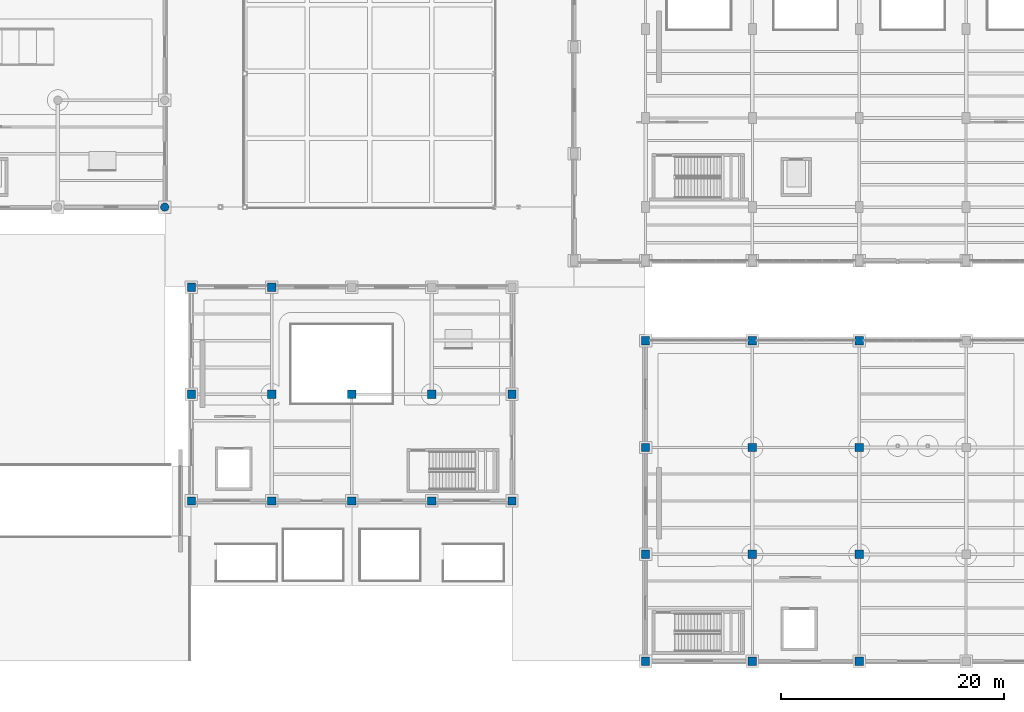
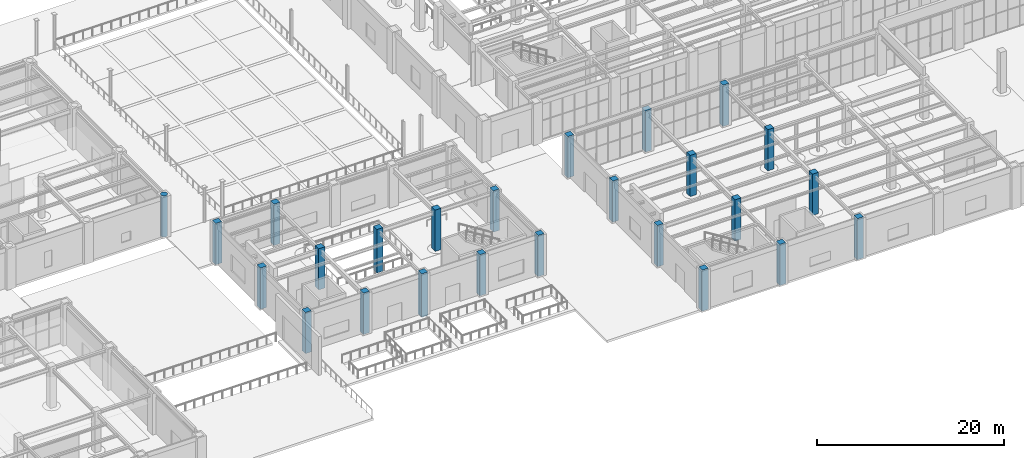
# One storey, part 7 of 164: 25 columns.
"""IFC4 building model written with IfcOpenShell, lengths in metres."""

from ifc_helpers import new_model, si_unit, direction, frame, origin, origin_2d, place, context, subcontext, project, spatial, rectangle, circle, extrude, material, material_profile, profile_set, type_object, element, save


model = new_model("IFC4")

# Units and contexts
model_context = context("Model", 3, precision=1e-05, world=origin(), true_north=direction((0.0, 1.0)))
body_context = subcontext(model_context, "Body", "Model", "MODEL_VIEW")
ifc_project = project(units=[si_unit("LENGTHUNIT", "METRE"), si_unit("AREAUNIT", "SQUARE_METRE"), si_unit("VOLUMEUNIT", "CUBIC_METRE"), si_unit("PLANEANGLEUNIT", "RADIAN"), si_unit("MASSUNIT", "GRAM", prefix="KILO")], contexts=[model_context])

# Site, building, storey
site_placement = place(None, origin())
site = spatial("IfcSite", under=ifc_project, at=site_placement, CompositionType="ELEMENT")
building_placement = place(site_placement, origin())
building = spatial("IfcBuilding", under=site, at=building_placement, Name="Mavantir Sound Aquarium", CompositionType="ELEMENT")
storey_placement = place(building_placement, origin())
storey = spatial("IfcBuildingStorey", under=building, at=storey_placement, Name="L00", CompositionType="ELEMENT", Elevation=0.0)

# Columns
ifc_material = material(Name="Concrete C40/50", Category="concrete")
ifc_material_profile_1 = material_profile(ifc_material, rectangle(XDim=0.75, YDim=0.75, at=origin_2d()), Name="RC 750X750")
ifc_profile_set_1 = profile_set([ifc_material_profile_1], Name="Concrete C40/50")
column_type_1 = type_object("IfcColumnType", Name="COL-RC750-E", PredefinedType="COLUMN", material=ifc_profile_set_1)
for number, where, z_axis, x_axis, name in (
    (1, (108.0, 0.0, 0.0), (0.0, 0.0, 1.0), (1.0, 0.0, 0.0), "L00 column RC-C75 (V6)"),
    (2, (117.60009765625, 0.0, 0.0), (0.0, 0.0, 1.0), (1.0, 0.0, 0.0), "L00 column RC-C75 (V6)"),
    (3, (127.199951171875, 0.0, 0.0), (0.0, 0.0, 1.0), (1.0, 0.0, 0.0), "L00 column RC-C75 (V6)"),
):
    element("IfcColumn", number, at=place(storey_placement, frame(where, z_axis=z_axis, x_axis=x_axis)), inside=storey, type_object=column_type_1, Name=name, PredefinedType="COLUMN", context=body_context, shape_type="SweptSolid", body=[
        extrude(rectangle(XDim=0.75, YDim=0.75, at=origin_2d()), origin(), (0.0, 0.0, 1.0), 5.39990234375),
    ])
ifc_material_profile_2 = material_profile(ifc_material, rectangle(XDim=0.75, YDim=0.75, at=origin_2d()), Name="RC 750X750")
ifc_profile_set_2 = profile_set([ifc_material_profile_2], Name="Concrete C40/50")
column_type_2 = type_object("IfcColumnType", Name="COL-RC750-I", PredefinedType="COLUMN", material=ifc_profile_set_2)
for number, where, z_axis, x_axis, name in (
    (4, (108.0, 9.60009765625, 0.0), (0.0, 0.0, 1.0), (1.0, 0.0, 0.0), "L00 column RC-C75 (V6)"),
    (5, (108.0, 19.199951171875, 0.0), (0.0, 0.0, 1.0), (1.0, 0.0, 0.0), "L00 column RC-C75 (V6)"),
    (6, (108.0, 28.800048828125, 0.0), (0.0, 0.0, 1.0), (1.0, 0.0, 0.0), "L00 column RC-C75 (V6)"),
    (7, (117.60009765625, 9.60009765625, 0.0), (0.0, 0.0, 1.0), (1.0, 0.0, 0.0), "L00 column RC-C75 (V6)"),
    (8, (117.60009765625, 19.199951171875, 0.0), (0.0, 0.0, 1.0), (1.0, 0.0, 0.0), "L00 column RC-C75 (V6)"),
    (9, (117.60009765625, 28.800048828125, 0.0), (0.0, 0.0, 1.0), (1.0, 0.0, 0.0), "L00 column RC-C75 (V6)"),
    (10, (127.199951171875, 9.60009765625, 0.0), (0.0, 0.0, 1.0), (1.0, 0.0, 0.0), "L00 column RC-C75 (V6)"),
    (11, (127.199951171875, 19.199951171875, 0.0), (0.0, 0.0, 1.0), (1.0, 0.0, 0.0), "L00 column RC-C75 (V6)"),
    (12, (127.199951171875, 28.800048828125, 0.0), (0.0, 0.0, 1.0), (1.0, 0.0, 0.0), "L00 column RC-C75 (V6)"),
    (13, (67.199951171875, 14.39990234375, 0.0), (0.0, 0.0, 1.0), (1.0, 0.0, 0.0), "L00 column RC-C75 (V7)"),
    (14, (67.199951171875, 24.0, 0.0), (0.0, 0.0, 1.0), (1.0, 0.0, 0.0), "L00 column RC-C75 (V7)"),
    (15, (67.199951171875, 33.60009765625, 0.0), (0.0, 0.0, 1.0), (1.0, 0.0, 0.0), "L00 column RC-C75 (V7)"),
    (16, (74.39990234375, 14.39990234375, 0.0), (0.0, 0.0, 1.0), (1.0, 0.0, 0.0), "L00 column RC-C75 (V7)"),
    (17, (74.39990234375, 24.0, 0.0), (0.0, 0.0, 1.0), (1.0, 0.0, 0.0), "L00 column RC-C75 (V7)"),
    (18, (74.39990234375, 33.60009765625, 0.0), (0.0, 0.0, 1.0), (1.0, 0.0, 0.0), "L00 column RC-C75 (V7)"),
):
    element("IfcColumn", number, at=place(storey_placement, frame(where, z_axis=z_axis, x_axis=x_axis)), inside=storey, type_object=column_type_2, Name=name, PredefinedType="COLUMN", context=body_context, shape_type="SweptSolid", body=[
        extrude(rectangle(XDim=0.75, YDim=0.75, at=origin_2d()), origin(), (0.0, 0.0, 1.0), 5.39990234375),
    ])
for number, where, z_axis, x_axis, name in (
    (19, (81.60009765625, 14.39990234375, -0.300048828125), (0.0, 0.0, 1.0), (1.0, 0.0, 0.0), "L00 column RC-C75 (V7)"),
    (20, (81.60009765625, 24.0, -0.300048828125), (0.0, 0.0, 1.0), (1.0, 0.0, 0.0), "L00 column RC-C75 (V7)"),
):
    element("IfcColumn", number, at=place(storey_placement, frame(where, z_axis=z_axis, x_axis=x_axis)), inside=storey, type_object=column_type_2, Name=name, PredefinedType="COLUMN", context=body_context, shape_type="SweptSolid", body=[
        extrude(rectangle(XDim=0.75, YDim=0.75, at=origin_2d()), origin(), (0.0, 0.0, 1.0), 5.699951171875),
    ])
for number, where, z_axis, x_axis, name in (
    (21, (88.800048828125, 14.39990234375, 0.0), (0.0, 0.0, 1.0), (1.0, 0.0, 0.0), "L00 column RC-C75 (V7)"),
    (22, (88.800048828125, 24.0, 0.0), (0.0, 0.0, 1.0), (1.0, 0.0, 0.0), "L00 column RC-C75 (V7)"),
    (23, (96.0, 14.39990234375, 0.0), (0.0, 0.0, 1.0), (1.0, 0.0, 0.0), "L00 column RC-C75 (V7)"),
    (24, (96.0, 24.0, 0.0), (0.0, 0.0, 1.0), (1.0, 0.0, 0.0), "L00 column RC-C75 (V7)"),
):
    element("IfcColumn", number, at=place(storey_placement, frame(where, z_axis=z_axis, x_axis=x_axis)), inside=storey, type_object=column_type_2, Name=name, PredefinedType="COLUMN", context=body_context, shape_type="SweptSolid", body=[
        extrude(rectangle(XDim=0.75, YDim=0.75, at=origin_2d()), origin(), (0.0, 0.0, 1.0), 5.39990234375),
    ])
ifc_material_profile_3 = material_profile(ifc_material, circle(Radius=0.375, at=origin_2d()), Name="RC D750")
ifc_profile_set_3 = profile_set([ifc_material_profile_3], Name="Concrete C40/50")
column_type_3 = type_object("IfcColumnType", Name="COL-RCD750-I", PredefinedType="COLUMN", material=ifc_profile_set_3)
column_placement = place(storey_placement, frame((64.800048828125, 40.800048828125, 0.0), z_axis=(0.0, 0.0, 1.0), x_axis=(1.0, 0.0, 0.0)))
element("IfcColumn", 25, at=column_placement, inside=storey, type_object=column_type_3, Name="L00 column RC-CD75 (V2)", PredefinedType="COLUMN", context=body_context, shape_type="SweptSolid", body=[
    extrude(circle(Radius=0.375, at=origin_2d()), origin(), (0.0, 0.0, 1.0), 5.39990234375),
])

save(model, "model.ifc")
